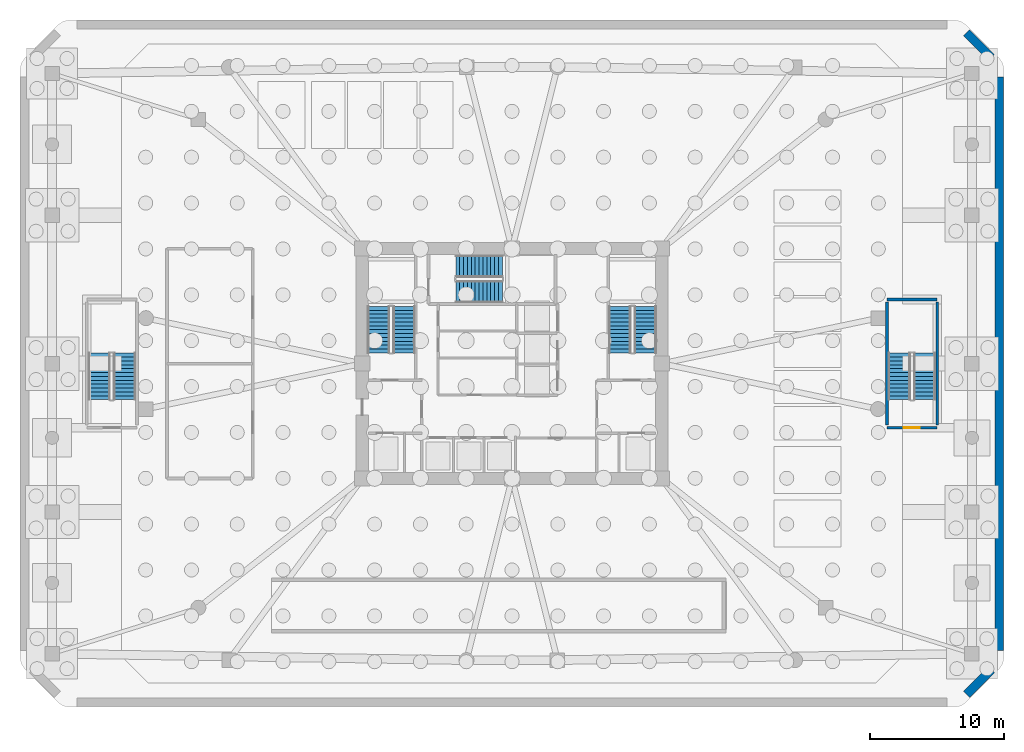
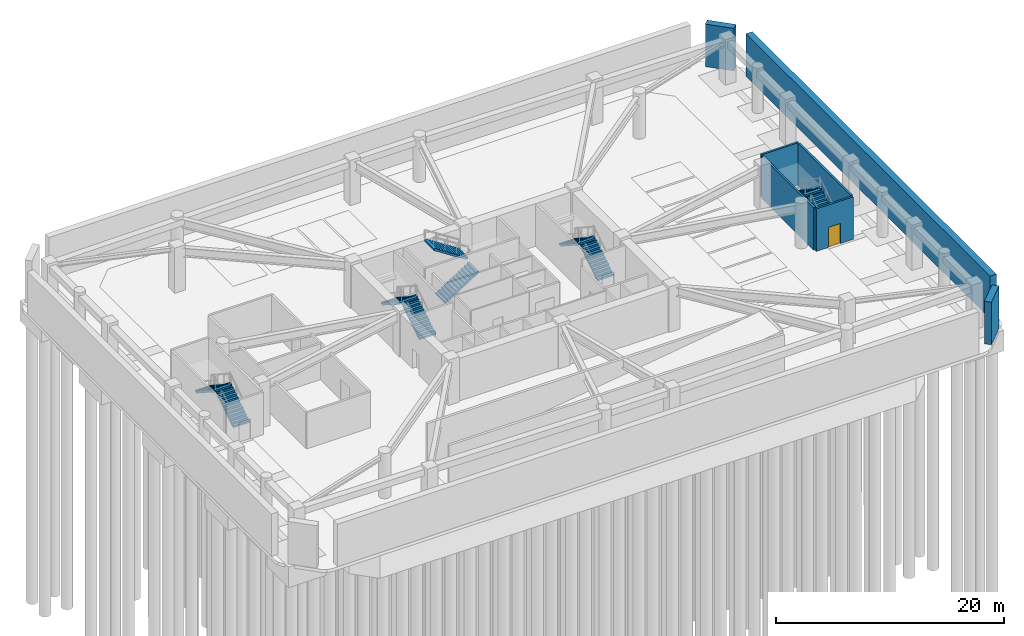
# One storey, part 6 of 11: 10 stair flights, 7 walls, 1 door, 1 opening, 5 elements without a shape of their own.
"""IFC4 building model written with IfcOpenShell, lengths in metres."""

import ifcopenshell
import ifcopenshell.guid

model = None  # the IFC model being written
_history = None  # IfcOwnerHistory: only IFC2X3 demands one
_inside = {}  # id of a spatial element -> (the spatial element, [elements in it])
_under = {}  # id of a project, library or spatial element -> (it, [spatial elements below it])
_declared = {}  # id of a project -> (the project, [libraries it declares])
_typed = {}  # id of a type object -> (the type object, [elements of that type])
_made_of = {}  # id of a material, layer set ... -> (it, [elements and type objects made of it])


def new_model(schema):
    """Start an empty IFC model of exactly this schema.

    Asked for "IFC4X3", IfcOpenShell would pick the latest addendum, in which some entities
    have other attributes; the version numbers below select the first issue.
    IFC2X3 requires an IfcOwnerHistory on every rooted entity: one is made here for all.
    """
    global model, _history
    if schema == "IFC4X3":
        model = ifcopenshell.file(schema_version=(4, 3, 0, 0))
    else:
        model = ifcopenshell.file(schema=schema)
    _inside.clear()
    _under.clear()
    _declared.clear()
    _typed.clear()
    _made_of.clear()
    _history = None
    if model.schema == "IFC2X3":
        org = make("IfcOrganization", Name="unknown")
        user = make(
            "IfcPersonAndOrganization",
            ThePerson=make("IfcPerson", FamilyName="unknown"),
            TheOrganization=org,
        )
        app = make(
            "IfcApplication",
            ApplicationDeveloper=org,
            Version="unknown",
            ApplicationFullName="unknown",
            ApplicationIdentifier="unknown",
        )
        _history = make(
            "IfcOwnerHistory",
            OwningUser=user,
            OwningApplication=app,
            ChangeAction="ADDED",
            CreationDate=0,
        )
    return model


def make(cls, **values):
    """One entity of the class cls with the attributes given. An attribute that is None is left unset."""
    return model.create_entity(
        cls, **{name: value for name, value in values.items() if value is not None}
    )


def rooted(cls, **values):
    """An entity with a GlobalId (a new one), such as an element, a storey or a relation."""
    return make(cls, GlobalId=ifcopenshell.guid.new(), OwnerHistory=_history, **values)


def si_unit(unit_type, name, prefix=None):
    """IfcSIUnit, for example si_unit("LENGTHUNIT", "METRE", prefix="MILLI")."""
    return make("IfcSIUnit", UnitType=unit_type, Prefix=prefix, Name=name)


def derived_unit(unit_type, elements):
    """IfcDerivedUnit: a product of units, each with its exponent."""
    return make(
        "IfcDerivedUnit",
        Elements=[
            make("IfcDerivedUnitElement", Unit=unit, Exponent=power)
            for unit, power in elements
        ],
        UnitType=unit_type,
    )


def assignment(units):
    """IfcUnitAssignment: the units of a project."""
    return None if units is None else make("IfcUnitAssignment", Units=units)


def point(xyz):
    """IfcCartesianPoint."""
    return None if xyz is None else make("IfcCartesianPoint", Coordinates=xyz)


def direction(xyz):
    """IfcDirection."""
    return None if xyz is None else make("IfcDirection", DirectionRatios=xyz)


def frame(location, z_axis=None, x_axis=None):
    """IfcAxis2Placement3D, a coordinate frame: its origin and axes. An axis left out is left unset."""
    return make(
        "IfcAxis2Placement3D",
        Location=point(location),
        Axis=direction(z_axis),
        RefDirection=direction(x_axis),
    )


def frame_2d(location, x_axis=None):
    """IfcAxis2Placement2D, a coordinate frame in the plane: its origin and x axis."""
    return make(
        "IfcAxis2Placement2D", Location=point(location), RefDirection=direction(x_axis)
    )


def origin():
    """The frame at (0, 0, 0) with its axes left unset."""
    return frame((0.0, 0.0, 0.0))


def place(relative_to, where):
    """IfcLocalPlacement: puts the frame where relative to a parent placement (None: the world)."""
    return make(
        "IfcLocalPlacement", PlacementRelTo=relative_to, RelativePlacement=where
    )


def context(
    kind, dimensions, precision=None, world=None, true_north=None, identifier=None
):
    """IfcGeometricRepresentationContext, for example the 3D "Model" context."""
    return make(
        "IfcGeometricRepresentationContext",
        ContextIdentifier=identifier,
        ContextType=kind,
        CoordinateSpaceDimension=dimensions,
        Precision=precision,
        WorldCoordinateSystem=world,
        TrueNorth=true_north,
    )


def subcontext(parent, identifier, kind, view, scale=None):
    """IfcGeometricRepresentationSubContext, for example "Body" below "Model"."""
    return make(
        "IfcGeometricRepresentationSubContext",
        ContextIdentifier=identifier,
        ContextType=kind,
        ParentContext=parent,
        TargetScale=scale,
        TargetView=view,
    )


def project(units=None, contexts=None):
    """IfcProject with its units and contexts."""
    return rooted(
        "IfcProject",
        Name="project",
        RepresentationContexts=contexts,
        UnitsInContext=assignment(units),
    )


def spatial(cls, under=None, at=None, **own):
    """A site, building, storey or space (cls), placed at a placement, below another one or the project."""
    s = rooted(cls, ObjectPlacement=at, **own)
    if under is not None:
        _under.setdefault(under.id(), (under, []))[1].append(s)
    return s


def polyline(points):
    """IfcPolyline through the points."""
    return make("IfcPolyline", Points=[point(p) for p in points])


def profile(cls, at=None, kind="AREA", **sizes):
    """A parametric profile (cls). Its sizes go by their IFC names, for example OverallWidth=200.0."""
    return make(cls, ProfileType=kind, Position=at, **sizes)


def rectangle(**sizes):
    """IfcRectangleProfileDef."""
    return profile("IfcRectangleProfileDef", **sizes)


def outline(outer, holes=None, kind="AREA"):
    """IfcArbitraryClosedProfileDef: a profile drawn as a closed curve; with holes, ...WithVoids."""
    if holes is None:
        return make("IfcArbitraryClosedProfileDef", ProfileType=kind, OuterCurve=outer)
    return make(
        "IfcArbitraryProfileDefWithVoids",
        ProfileType=kind,
        OuterCurve=outer,
        InnerCurves=holes,
    )


def extrude(swept, where, along, depth):
    """IfcExtrudedAreaSolid: the profile swept, set in the frame where, extruded along a direction by depth."""
    return make(
        "IfcExtrudedAreaSolid",
        SweptArea=swept,
        Position=where,
        ExtrudedDirection=direction(along),
        Depth=depth,
    )


def shape(context_of_items, identifier, shape_type, items):
    """IfcShapeRepresentation: the items that make up one representation, for example the "Body"."""
    return make(
        "IfcShapeRepresentation",
        ContextOfItems=context_of_items,
        RepresentationIdentifier=identifier,
        RepresentationType=shape_type,
        Items=items,
    )


def material(Name=None, Category=None):
    """IfcMaterial."""
    return make("IfcMaterial", Name=Name, Category=Category)


def layer(
    of_material, thickness, ventilated=None, Name=None, Category=None, Priority=None
):
    """IfcMaterialLayer: one layer of a wall or slab, of a material (None: an air gap)."""
    return make(
        "IfcMaterialLayer",
        Material=of_material,
        LayerThickness=thickness,
        IsVentilated=ventilated,
        Name=Name,
        Category=Category,
        Priority=Priority,
    )


def layer_set(layers, Name=None):
    """IfcMaterialLayerSet."""
    return make("IfcMaterialLayerSet", MaterialLayers=layers, LayerSetName=Name)


def made_of(thing, what):
    """Note that an element or type object is made of a material, layer set ...; save() writes the relation."""
    if what is not None:
        _made_of.setdefault(what.id(), (what, []))[1].append(thing)
    return thing


def type_object(cls, material=None, **own):
    """A type object (cls), such as IfcWallType, which elements share."""
    return made_of(rooted(cls, **own), material)


def element(
    cls,
    number,
    at=None,
    inside=None,
    cuts=None,
    type_object=None,
    material=None,
    context=None,
    identifier="Body",
    shape_type=None,
    held_by="IfcProductDefinitionShape",
    body=None,
    shapes=None,
    **own,
):
    """One element of the class cls, such as IfcWall. Its Tag is "e" and its number.

    at: its placement. inside: the storey or other place that contains it. cuts: it is an
    opening in that element (IfcRelVoidsElement). A single representation is given by context,
    identifier, shape_type and body (its items); several are given by shapes. held_by: the class
    of the entity that holds the representations. save() writes the other relations.
    """
    e = rooted(cls, Tag="e%d" % number, ObjectPlacement=at, **own)
    if body is not None:
        shapes = [shape(context, identifier, shape_type, body)]
    if shapes is not None:
        e.Representation = make(held_by, Representations=shapes)
    if inside is not None:
        _inside.setdefault(inside.id(), (inside, []))[1].append(e)
    if cuts is not None:
        rooted(
            "IfcRelVoidsElement", RelatingBuildingElement=cuts, RelatedOpeningElement=e
        )
    if type_object is not None:
        _typed.setdefault(type_object.id(), (type_object, []))[1].append(e)
    return made_of(e, material)


def fill(opening, filler):
    """IfcRelFillsElement: the door or window that sits in an opening."""
    return rooted(
        "IfcRelFillsElement",
        RelatingOpeningElement=opening,
        RelatedBuildingElement=filler,
    )


def aggregate(whole, parts):
    """IfcRelAggregates: a whole, such as a stair, and the parts it consists of."""
    return rooted("IfcRelAggregates", RelatingObject=whole, RelatedObjects=parts)


def save(model, path):
    """Write the relations noted so far, then the file.

    IfcRelAggregates (storeys below a building ...), IfcRelContainedInSpatialStructure (elements
    in a storey), IfcRelDefinesByType, IfcRelAssociatesMaterial and IfcRelDeclares: one each for
    every whole, place, type object, material and project.
    """
    for whole, parts in _under.values():
        aggregate(whole, parts)
    for where, things in _inside.values():
        rooted(
            "IfcRelContainedInSpatialStructure",
            RelatedElements=things,
            RelatingStructure=where,
        )
    for kind, things in _typed.values():
        rooted("IfcRelDefinesByType", RelatedObjects=things, RelatingType=kind)
    for what, things in _made_of.values():
        rooted("IfcRelAssociatesMaterial", RelatedObjects=things, RelatingMaterial=what)
    for by, libraries in _declared.values():
        rooted("IfcRelDeclares", RelatingContext=by, RelatedDefinitions=libraries)
    model.write(path)


model = new_model("IFC4")

# Units and contexts
model_context = context("Model", 3, precision=1e-05, world=origin(), true_north=direction((0.0, 1.0)))
body_context = subcontext(model_context, "Body", "Model", "MODEL_VIEW")
ifc_project = project(units=[si_unit("LENGTHUNIT", "METRE"), si_unit("AREAUNIT", "SQUARE_METRE"), si_unit("VOLUMEUNIT", "CUBIC_METRE"), si_unit("PLANEANGLEUNIT", "RADIAN"), si_unit("MASSUNIT", "GRAM", prefix="KILO"), derived_unit("THERMALTRANSMITTANCEUNIT", [(si_unit("POWERUNIT", "WATT"), 1), (si_unit("LENGTHUNIT", "METRE"), -2), (si_unit("THERMODYNAMICTEMPERATUREUNIT", "KELVIN"), -1)])], contexts=[model_context])

# Site, building, storey
site_placement = place(None, origin())
site = spatial("IfcSite", under=ifc_project, at=site_placement, CompositionType="ELEMENT")
building_placement = place(site_placement, origin())
building = spatial("IfcBuilding", under=site, at=building_placement, Name="Koralith Skygarden Medical Center", CompositionType="ELEMENT")
storey_placement = place(building_placement, frame((0.0, 0.0, -9.719970703125)))
storey = spatial("IfcBuildingStorey", under=building, at=storey_placement, Name="B2", CompositionType="ELEMENT", Elevation=-9.719970703125)

# Walls
ifc_material_1 = material(Name="Concrete C55/67", Category="concrete")
ifc_layer_1 = layer(ifc_material_1, 0.64990234375)
ifc_layer_set_1 = layer_set([ifc_layer_1], Name="Concrete C55/67")
wall_type_1 = type_object("IfcWallType", Name="Basement Retaining Wall 650", PredefinedType="SOLIDWALL", material=ifc_layer_set_1)
wall_1_placement = place(storey_placement, frame((70.99609375, 1.15087890625, 0.0), z_axis=(0.0, 0.0, 1.0), x_axis=(0.707106781187, 0.707106781187, 0.0)))
element("IfcWall", 1, at=wall_1_placement, inside=storey, type_object=wall_type_1, Name="B2 Basement Retaining Wall SE", PredefinedType="SOLIDWALL", context=body_context, shape_type="SweptSolid", body=[
    extrude(rectangle(XDim=2.62060546875, YDim=0.64990234375, at=frame_2d((1.310302734375, 0.0))), origin(), (0.0, 0.0, 1.0), 4.56005859375),
])
wall_2_placement = place(storey_placement, frame((73.449951171875, 4.455078125, 0.0), z_axis=(0.0, 0.0, 1.0), x_axis=(0.0, 1.0, 0.0)))
element("IfcWall", 2, at=wall_2_placement, inside=storey, type_object=wall_type_1, Name="B2 Basement Retaining Wall E", PredefinedType="SOLIDWALL", context=body_context, shape_type="SweptSolid", body=[
    extrude(rectangle(XDim=42.889892578125, YDim=0.64990234375, at=frame_2d((21.44482421875, 0.0))), origin(), (0.0, 0.0, 1.0), 4.56005859375),
])
wall_3_placement = place(storey_placement, frame((72.84912109375, 48.7958984375, 0.0), z_axis=(0.0, 0.0, 1.0), x_axis=(-0.707106781187, 0.707106781187, 0.0)))
element("IfcWall", 3, at=wall_3_placement, inside=storey, type_object=wall_type_1, Name="B2 Basement Retaining Wall NE", PredefinedType="SOLIDWALL", context=body_context, shape_type="SweptSolid", body=[
    extrude(rectangle(XDim=2.62060546875, YDim=0.64990234375, at=frame_2d((1.310302734375, 0.0))), origin(), (0.0, 0.0, 1.0), 4.56005859375),
])

# Wall, opening, door
ifc_material_2 = material(Name="Concrete C45/55", Category="concrete")
ifc_layer_2 = layer(ifc_material_2, 0.199951171875)
ifc_layer_set_2 = layer_set([ifc_layer_2], Name="Concrete C45/55")
wall_type_2 = type_object("IfcWallType", Name="Structural Stair Shaft Wall 200", PredefinedType="SHEAR", material=ifc_layer_set_2)
wall_4_placement = place(storey_placement, frame((65.050048828125, 21.10009765625, 0.0), z_axis=(0.0, 0.0, 1.0), x_axis=(1.0, 0.0, 0.0)))
wall_4 = element("IfcWall", 4, at=wall_4_placement, inside=storey, type_object=wall_type_2, Name="B2 Structural Stair Shaft Wall 200 W-ST5-B2-S", PredefinedType="SHEAR", context=body_context, shape_type="SweptSolid", body=[
    extrude(rectangle(XDim=3.75, YDim=0.199951171875, at=frame_2d((1.875, 0.0))), origin(), (0.0, 0.0, 1.0), 4.56005859375),
])
opening_placement = place(wall_4_placement, frame((1.25, 0.0, 0.0)))
opening = element("IfcOpeningElement", 5, at=opening_placement, cuts=wall_4, Name="Opening D-ST60", PredefinedType="OPENING", context=body_context, shape_type="SweptSolid", body=[
    extrude(rectangle(XDim=1.199951171875, YDim=2.14990234375, at=frame_2d((0.60009765625, 1.074951171875))), frame((0.0, 0.10986328125, 0.0), z_axis=(0.0, -1.0, 0.0), x_axis=(1.0, 0.0, 0.0)), (0.0, 0.0, 1.0), 0.219970703125),
])
ifc_material_3 = material(Name="Steel ASTM A500 Grade C", Category="steel")
door_type = type_object("IfcDoorType", Name="Smokeproof Stair Fire Door FD60S 1200", OperationType="NOTDEFINED", PredefinedType="DOOR", material=ifc_material_3)
door_placement = place(opening_placement, origin())
door = element("IfcDoor", 6, at=door_placement, inside=storey, type_object=door_type, Name="B2 Exit Stair ST5 Fire Door", OperationType="SINGLE_SWING_RIGHT", OverallHeight=2.14990234375, OverallWidth=1.199951171875, PredefinedType="DOOR", context=body_context, shape_type="SweptSolid", body=[
    extrude(rectangle(XDim=1.199951171875, YDim=2.14990234375, at=frame_2d((0.60009765625, 1.074951171875))), frame((0.0, 0.02490234375, 0.0), z_axis=(0.0, -1.0, 0.0), x_axis=(1.0, 0.0, 0.0)), (0.0, 0.0, 1.0), 0.050048828125),
])
fill(opening, door)

# Walls
wall_5_placement = place(storey_placement, frame((65.050048828125, 30.699951171875, 0.0), z_axis=(0.0, 0.0, 1.0), x_axis=(1.0, 0.0, 0.0)))
element("IfcWall", 7, at=wall_5_placement, inside=storey, type_object=wall_type_2, Name="B2 Structural Stair Shaft Wall 200 W-ST5-B2-N", PredefinedType="SHEAR", context=body_context, shape_type="SweptSolid", body=[
    extrude(rectangle(XDim=3.75, YDim=0.199951171875, at=frame_2d((1.875, 0.0))), origin(), (0.0, 0.0, 1.0), 4.56005859375),
])
for number, where, z_axis, x_axis, name in (
    (8, (65.050048828125, 21.300048828125, 0.0), (0.0, 0.0, 1.0), (0.0, 1.0, 0.0), "B2 Structural Stair Shaft Wall 200 W-ST5-B2-W"),
    (9, (68.800048828125, 21.300048828125, 0.0), (0.0, 0.0, 1.0), (0.0, 1.0, 0.0), "B2 Structural Stair Shaft Wall 200 W-ST5-B2-E"),
):
    element("IfcWall", number, at=place(storey_placement, frame(where, z_axis=z_axis, x_axis=x_axis)), inside=storey, type_object=wall_type_2, Name=name, PredefinedType="SHEAR", context=body_context, shape_type="SweptSolid", body=[
        extrude(rectangle(XDim=9.199951171875, YDim=0.199951171875, at=frame_2d((4.60009765625, 0.0))), origin(), (0.0, 0.0, 1.0), 4.56005859375),
    ])

# Stair, stair flights
stair_type = type_object("IfcStairType", Name="Core Exit Dogleg Concrete Stair", PredefinedType="HALF_TURN_STAIR", material=ifc_material_2)
stair_1_placement = place(storey_placement, origin())
stair_1 = element("IfcStair", 10, at=stair_1_placement, inside=storey, type_object=stair_type, Name="B2 Smokeproof Exit Stair ST1", PredefinedType="HALF_TURN_STAIR")
stair_flight_type = type_object("IfcStairFlightType", Name="Core Exit Concrete Stair Flight 1650", PredefinedType="STRAIGHT", material=ifc_material_2)
stair_flight_1_placement = place(storey_placement, frame((28.925048828125, 26.699951171875, 0.0), z_axis=(0.0, 0.0, 1.0), x_axis=(0.0, 1.0, 0.0)))
stair_flight_1 = element("IfcStairFlight", 11, at=stair_flight_1_placement, type_object=stair_flight_type, Name="ST1 flight 1", NumberOfRisers=13, NumberOfTreads=12, PredefinedType="STRAIGHT", RiserHeight=0.186923, TreadLength=0.29, context=body_context, shape_type="SweptSolid", body=[
    extrude(outline(polyline([(0.0, 0.0), (0.0, 0.18701171875), (0.2900390625, 0.18701171875), (0.2900390625, 0.373779296875), (0.580078125, 0.373779296875), (0.580078125, 0.560791015625), (0.8701171875, 0.560791015625), (0.8701171875, 0.747802734375), (1.159912109375, 0.747802734375), (1.159912109375, 0.9345703125), (1.449951171875, 0.9345703125), (1.449951171875, 1.12158203125), (1.739990234375, 1.12158203125), (1.739990234375, 1.308349609375), (2.030029296875, 1.308349609375), (2.030029296875, 1.495361328125), (2.320068359375, 1.495361328125), (2.320068359375, 1.682373046875), (2.610107421875, 1.682373046875), (2.610107421875, 1.869140625), (2.89990234375, 1.869140625), (2.89990234375, 2.05615234375), (3.18994140625, 2.05615234375), (3.18994140625, 2.2431640625), (3.47998046875, 2.2431640625), (3.47998046875, 2.429931640625), (3.47998046875, 2.064697265625), (0.276611328125, 0.0), (0.0, 0.0)])), frame((0.0, 0.824951171875, 0.0), z_axis=(0.0, -1.0, 0.0), x_axis=(1.0, 0.0, 0.0)), (0.0, 0.0, 1.0), 1.64990234375),
])
stair_flight_2_placement = place(storey_placement, frame((27.02490234375, 30.179931640625, 2.429931640625), z_axis=(0.0, 0.0, 1.0), x_axis=(0.0, -1.0, 0.0)))
stair_flight_2 = element("IfcStairFlight", 12, at=stair_flight_2_placement, type_object=stair_flight_type, Name="ST1 flight 2", NumberOfRisers=13, NumberOfTreads=12, PredefinedType="STRAIGHT", RiserHeight=0.186923, TreadLength=0.29, context=body_context, shape_type="SweptSolid", body=[
    extrude(outline(polyline([(0.0, 0.0), (0.0, 0.18701171875), (0.2900390625, 0.18701171875), (0.2900390625, 0.373779296875), (0.580078125, 0.373779296875), (0.580078125, 0.560791015625), (0.8701171875, 0.560791015625), (0.8701171875, 0.747802734375), (1.159912109375, 0.747802734375), (1.159912109375, 0.9345703125), (1.449951171875, 0.9345703125), (1.449951171875, 1.12158203125), (1.739990234375, 1.12158203125), (1.739990234375, 1.308349609375), (2.030029296875, 1.308349609375), (2.030029296875, 1.495361328125), (2.320068359375, 1.495361328125), (2.320068359375, 1.682373046875), (2.610107421875, 1.682373046875), (2.610107421875, 1.869140625), (2.89990234375, 1.869140625), (2.89990234375, 2.05615234375), (3.18994140625, 2.05615234375), (3.18994140625, 2.2431640625), (3.47998046875, 2.2431640625), (3.47998046875, 2.429931640625), (3.47998046875, 2.064697265625), (0.276611328125, 0.0), (0.0, 0.0)])), frame((0.0, 0.824951171875, 0.0), z_axis=(0.0, -1.0, 0.0), x_axis=(1.0, 0.0, 0.0)), (0.0, 0.0, 1.0), 1.64990234375),
])
aggregate(stair_1, [stair_flight_1, stair_flight_2])

stair_2_placement = place(storey_placement, origin())
stair_2 = element("IfcStair", 13, at=stair_2_placement, inside=storey, type_object=stair_type, Name="B2 Smokeproof Exit Stair ST2", PredefinedType="HALF_TURN_STAIR")
stair_flight_3_placement = place(storey_placement, frame((46.97509765625, 26.699951171875, 0.0), z_axis=(0.0, 0.0, 1.0), x_axis=(0.0, 1.0, 0.0)))
stair_flight_3 = element("IfcStairFlight", 14, at=stair_flight_3_placement, type_object=stair_flight_type, Name="ST2 flight 1", NumberOfRisers=13, NumberOfTreads=12, PredefinedType="STRAIGHT", RiserHeight=0.186923, TreadLength=0.29, context=body_context, shape_type="SweptSolid", body=[
    extrude(outline(polyline([(0.0, 0.0), (0.0, 0.18701171875), (0.2900390625, 0.18701171875), (0.2900390625, 0.373779296875), (0.580078125, 0.373779296875), (0.580078125, 0.560791015625), (0.8701171875, 0.560791015625), (0.8701171875, 0.747802734375), (1.159912109375, 0.747802734375), (1.159912109375, 0.9345703125), (1.449951171875, 0.9345703125), (1.449951171875, 1.12158203125), (1.739990234375, 1.12158203125), (1.739990234375, 1.308349609375), (2.030029296875, 1.308349609375), (2.030029296875, 1.495361328125), (2.320068359375, 1.495361328125), (2.320068359375, 1.682373046875), (2.610107421875, 1.682373046875), (2.610107421875, 1.869140625), (2.89990234375, 1.869140625), (2.89990234375, 2.05615234375), (3.18994140625, 2.05615234375), (3.18994140625, 2.2431640625), (3.47998046875, 2.2431640625), (3.47998046875, 2.429931640625), (3.47998046875, 2.064697265625), (0.276611328125, 0.0), (0.0, 0.0)])), frame((0.0, 0.824951171875, 0.0), z_axis=(0.0, -1.0, 0.0), x_axis=(1.0, 0.0, 0.0)), (0.0, 0.0, 1.0), 1.64990234375),
])
stair_flight_4_placement = place(storey_placement, frame((45.074951171875, 30.179931640625, 2.429931640625), z_axis=(0.0, 0.0, 1.0), x_axis=(0.0, -1.0, 0.0)))
stair_flight_4 = element("IfcStairFlight", 15, at=stair_flight_4_placement, type_object=stair_flight_type, Name="ST2 flight 2", NumberOfRisers=13, NumberOfTreads=12, PredefinedType="STRAIGHT", RiserHeight=0.186923, TreadLength=0.29, context=body_context, shape_type="SweptSolid", body=[
    extrude(outline(polyline([(0.0, 0.0), (0.0, 0.18701171875), (0.2900390625, 0.18701171875), (0.2900390625, 0.373779296875), (0.580078125, 0.373779296875), (0.580078125, 0.560791015625), (0.8701171875, 0.560791015625), (0.8701171875, 0.747802734375), (1.159912109375, 0.747802734375), (1.159912109375, 0.9345703125), (1.449951171875, 0.9345703125), (1.449951171875, 1.12158203125), (1.739990234375, 1.12158203125), (1.739990234375, 1.308349609375), (2.030029296875, 1.308349609375), (2.030029296875, 1.495361328125), (2.320068359375, 1.495361328125), (2.320068359375, 1.682373046875), (2.610107421875, 1.682373046875), (2.610107421875, 1.869140625), (2.89990234375, 1.869140625), (2.89990234375, 2.05615234375), (3.18994140625, 2.05615234375), (3.18994140625, 2.2431640625), (3.47998046875, 2.2431640625), (3.47998046875, 2.429931640625), (3.47998046875, 2.064697265625), (0.276611328125, 0.0), (0.0, 0.0)])), frame((0.0, 0.824951171875, 0.0), z_axis=(0.0, -1.0, 0.0), x_axis=(1.0, 0.0, 0.0)), (0.0, 0.0, 1.0), 1.64990234375),
])
aggregate(stair_2, [stair_flight_3, stair_flight_4])

stair_3_placement = place(storey_placement, origin())
stair_3 = element("IfcStair", 16, at=stair_3_placement, inside=storey, type_object=stair_type, Name="B2 Smokeproof Exit Stair ST3", PredefinedType="HALF_TURN_STAIR")
stair_flight_5_placement = place(storey_placement, frame((32.800048828125, 31.27490234375, 0.0), z_axis=(0.0, 0.0, 1.0), x_axis=(1.0, 0.0, 0.0)))
stair_flight_5 = element("IfcStairFlight", 17, at=stair_flight_5_placement, type_object=stair_flight_type, Name="ST3 flight 1", NumberOfRisers=13, NumberOfTreads=12, PredefinedType="STRAIGHT", RiserHeight=0.186923, TreadLength=0.29, context=body_context, shape_type="SweptSolid", body=[
    extrude(outline(polyline([(0.0, 0.0), (0.0, 0.18701171875), (0.2900390625, 0.18701171875), (0.2900390625, 0.373779296875), (0.580078125, 0.373779296875), (0.580078125, 0.560791015625), (0.8701171875, 0.560791015625), (0.8701171875, 0.747802734375), (1.159912109375, 0.747802734375), (1.159912109375, 0.9345703125), (1.449951171875, 0.9345703125), (1.449951171875, 1.12158203125), (1.739990234375, 1.12158203125), (1.739990234375, 1.308349609375), (2.030029296875, 1.308349609375), (2.030029296875, 1.495361328125), (2.320068359375, 1.495361328125), (2.320068359375, 1.682373046875), (2.610107421875, 1.682373046875), (2.610107421875, 1.869140625), (2.89990234375, 1.869140625), (2.89990234375, 2.05615234375), (3.18994140625, 2.05615234375), (3.18994140625, 2.2431640625), (3.47998046875, 2.2431640625), (3.47998046875, 2.429931640625), (3.47998046875, 2.064697265625), (0.276611328125, 0.0), (0.0, 0.0)])), frame((0.0, 0.824951171875, 0.0), z_axis=(0.0, -1.0, 0.0), x_axis=(1.0, 0.0, 0.0)), (0.0, 0.0, 1.0), 1.64990234375),
])
stair_flight_6_placement = place(storey_placement, frame((36.280029296875, 33.175048828125, 2.429931640625), z_axis=(0.0, 0.0, 1.0), x_axis=(-1.0, 0.0, 0.0)))
stair_flight_6 = element("IfcStairFlight", 18, at=stair_flight_6_placement, type_object=stair_flight_type, Name="ST3 flight 2", NumberOfRisers=13, NumberOfTreads=12, PredefinedType="STRAIGHT", RiserHeight=0.186923, TreadLength=0.29, context=body_context, shape_type="SweptSolid", body=[
    extrude(outline(polyline([(0.0, 0.0), (0.0, 0.18701171875), (0.2900390625, 0.18701171875), (0.2900390625, 0.373779296875), (0.580078125, 0.373779296875), (0.580078125, 0.560791015625), (0.8701171875, 0.560791015625), (0.8701171875, 0.747802734375), (1.159912109375, 0.747802734375), (1.159912109375, 0.9345703125), (1.449951171875, 0.9345703125), (1.449951171875, 1.12158203125), (1.739990234375, 1.12158203125), (1.739990234375, 1.308349609375), (2.030029296875, 1.308349609375), (2.030029296875, 1.495361328125), (2.320068359375, 1.495361328125), (2.320068359375, 1.682373046875), (2.610107421875, 1.682373046875), (2.610107421875, 1.869140625), (2.89990234375, 1.869140625), (2.89990234375, 2.05615234375), (3.18994140625, 2.05615234375), (3.18994140625, 2.2431640625), (3.47998046875, 2.2431640625), (3.47998046875, 2.429931640625), (3.47998046875, 2.064697265625), (0.276611328125, 0.0), (0.0, 0.0)])), frame((0.0, 0.824951171875, 0.0), z_axis=(0.0, -1.0, 0.0), x_axis=(1.0, 0.0, 0.0)), (0.0, 0.0, 1.0), 1.64990234375),
])
aggregate(stair_3, [stair_flight_5, stair_flight_6])

stair_4_placement = place(storey_placement, origin())
stair_4 = element("IfcStair", 19, at=stair_4_placement, inside=storey, type_object=stair_type, Name="B2 Podium Smokeproof Exit Stair ST4", PredefinedType="HALF_TURN_STAIR")
stair_flight_7_placement = place(storey_placement, frame((8.02490234375, 23.199951171875, 0.0), z_axis=(0.0, 0.0, 1.0), x_axis=(0.0, 1.0, 0.0)))
stair_flight_7 = element("IfcStairFlight", 20, at=stair_flight_7_placement, type_object=stair_flight_type, Name="ST4 flight 1", NumberOfRisers=13, NumberOfTreads=12, PredefinedType="STRAIGHT", RiserHeight=0.186923, TreadLength=0.29, context=body_context, shape_type="SweptSolid", body=[
    extrude(outline(polyline([(0.0, 0.0), (0.0, 0.18701171875), (0.2900390625, 0.18701171875), (0.2900390625, 0.373779296875), (0.580078125, 0.373779296875), (0.580078125, 0.560791015625), (0.8701171875, 0.560791015625), (0.8701171875, 0.747802734375), (1.159912109375, 0.747802734375), (1.159912109375, 0.9345703125), (1.449951171875, 0.9345703125), (1.449951171875, 1.12158203125), (1.739990234375, 1.12158203125), (1.739990234375, 1.308349609375), (2.030029296875, 1.308349609375), (2.030029296875, 1.495361328125), (2.320068359375, 1.495361328125), (2.320068359375, 1.682373046875), (2.610107421875, 1.682373046875), (2.610107421875, 1.869140625), (2.89990234375, 1.869140625), (2.89990234375, 2.05615234375), (3.18994140625, 2.05615234375), (3.18994140625, 2.2431640625), (3.47998046875, 2.2431640625), (3.47998046875, 2.429931640625), (3.47998046875, 2.064697265625), (0.276611328125, 0.0), (0.0, 0.0)])), frame((0.0, 0.824951171875, 0.0), z_axis=(0.0, -1.0, 0.0), x_axis=(1.0, 0.0, 0.0)), (0.0, 0.0, 1.0), 1.64990234375),
])
stair_flight_8_placement = place(storey_placement, frame((6.125, 26.679931640625, 2.429931640625), z_axis=(0.0, 0.0, 1.0), x_axis=(0.0, -1.0, 0.0)))
stair_flight_8 = element("IfcStairFlight", 21, at=stair_flight_8_placement, type_object=stair_flight_type, Name="ST4 flight 2", NumberOfRisers=13, NumberOfTreads=12, PredefinedType="STRAIGHT", RiserHeight=0.186923, TreadLength=0.29, context=body_context, shape_type="SweptSolid", body=[
    extrude(outline(polyline([(0.0, 0.0), (0.0, 0.18701171875), (0.2900390625, 0.18701171875), (0.2900390625, 0.373779296875), (0.580078125, 0.373779296875), (0.580078125, 0.560791015625), (0.8701171875, 0.560791015625), (0.8701171875, 0.747802734375), (1.159912109375, 0.747802734375), (1.159912109375, 0.9345703125), (1.449951171875, 0.9345703125), (1.449951171875, 1.12158203125), (1.739990234375, 1.12158203125), (1.739990234375, 1.308349609375), (2.030029296875, 1.308349609375), (2.030029296875, 1.495361328125), (2.320068359375, 1.495361328125), (2.320068359375, 1.682373046875), (2.610107421875, 1.682373046875), (2.610107421875, 1.869140625), (2.89990234375, 1.869140625), (2.89990234375, 2.05615234375), (3.18994140625, 2.05615234375), (3.18994140625, 2.2431640625), (3.47998046875, 2.2431640625), (3.47998046875, 2.429931640625), (3.47998046875, 2.064697265625), (0.276611328125, 0.0), (0.0, 0.0)])), frame((0.0, 0.824951171875, 0.0), z_axis=(0.0, -1.0, 0.0), x_axis=(1.0, 0.0, 0.0)), (0.0, 0.0, 1.0), 1.64990234375),
])
aggregate(stair_4, [stair_flight_7, stair_flight_8])

stair_5_placement = place(storey_placement, origin())
stair_5 = element("IfcStair", 22, at=stair_5_placement, inside=storey, type_object=stair_type, Name="B2 Podium Smokeproof Exit Stair ST5", PredefinedType="HALF_TURN_STAIR")
stair_flight_9_placement = place(storey_placement, frame((67.875, 23.199951171875, 0.0), z_axis=(0.0, 0.0, 1.0), x_axis=(0.0, 1.0, 0.0)))
stair_flight_9 = element("IfcStairFlight", 23, at=stair_flight_9_placement, type_object=stair_flight_type, Name="ST5 flight 1", NumberOfRisers=13, NumberOfTreads=12, PredefinedType="STRAIGHT", RiserHeight=0.186923, TreadLength=0.29, context=body_context, shape_type="SweptSolid", body=[
    extrude(outline(polyline([(0.0, 0.0), (0.0, 0.18701171875), (0.2900390625, 0.18701171875), (0.2900390625, 0.373779296875), (0.580078125, 0.373779296875), (0.580078125, 0.560791015625), (0.8701171875, 0.560791015625), (0.8701171875, 0.747802734375), (1.159912109375, 0.747802734375), (1.159912109375, 0.9345703125), (1.449951171875, 0.9345703125), (1.449951171875, 1.12158203125), (1.739990234375, 1.12158203125), (1.739990234375, 1.308349609375), (2.030029296875, 1.308349609375), (2.030029296875, 1.495361328125), (2.320068359375, 1.495361328125), (2.320068359375, 1.682373046875), (2.610107421875, 1.682373046875), (2.610107421875, 1.869140625), (2.89990234375, 1.869140625), (2.89990234375, 2.05615234375), (3.18994140625, 2.05615234375), (3.18994140625, 2.2431640625), (3.47998046875, 2.2431640625), (3.47998046875, 2.429931640625), (3.47998046875, 2.064697265625), (0.276611328125, 0.0), (0.0, 0.0)])), frame((0.0, 0.824951171875, 0.0), z_axis=(0.0, -1.0, 0.0), x_axis=(1.0, 0.0, 0.0)), (0.0, 0.0, 1.0), 1.64990234375),
])
stair_flight_10_placement = place(storey_placement, frame((65.97509765625, 26.679931640625, 2.429931640625), z_axis=(0.0, 0.0, 1.0), x_axis=(0.0, -1.0, 0.0)))
stair_flight_10 = element("IfcStairFlight", 24, at=stair_flight_10_placement, type_object=stair_flight_type, Name="ST5 flight 2", NumberOfRisers=13, NumberOfTreads=12, PredefinedType="STRAIGHT", RiserHeight=0.186923, TreadLength=0.29, context=body_context, shape_type="SweptSolid", body=[
    extrude(outline(polyline([(0.0, 0.0), (0.0, 0.18701171875), (0.2900390625, 0.18701171875), (0.2900390625, 0.373779296875), (0.580078125, 0.373779296875), (0.580078125, 0.560791015625), (0.8701171875, 0.560791015625), (0.8701171875, 0.747802734375), (1.159912109375, 0.747802734375), (1.159912109375, 0.9345703125), (1.449951171875, 0.9345703125), (1.449951171875, 1.12158203125), (1.739990234375, 1.12158203125), (1.739990234375, 1.308349609375), (2.030029296875, 1.308349609375), (2.030029296875, 1.495361328125), (2.320068359375, 1.495361328125), (2.320068359375, 1.682373046875), (2.610107421875, 1.682373046875), (2.610107421875, 1.869140625), (2.89990234375, 1.869140625), (2.89990234375, 2.05615234375), (3.18994140625, 2.05615234375), (3.18994140625, 2.2431640625), (3.47998046875, 2.2431640625), (3.47998046875, 2.429931640625), (3.47998046875, 2.064697265625), (0.276611328125, 0.0), (0.0, 0.0)])), frame((0.0, 0.824951171875, 0.0), z_axis=(0.0, -1.0, 0.0), x_axis=(1.0, 0.0, 0.0)), (0.0, 0.0, 1.0), 1.64990234375),
])
aggregate(stair_5, [stair_flight_9, stair_flight_10])

save(model, "model.ifc")
